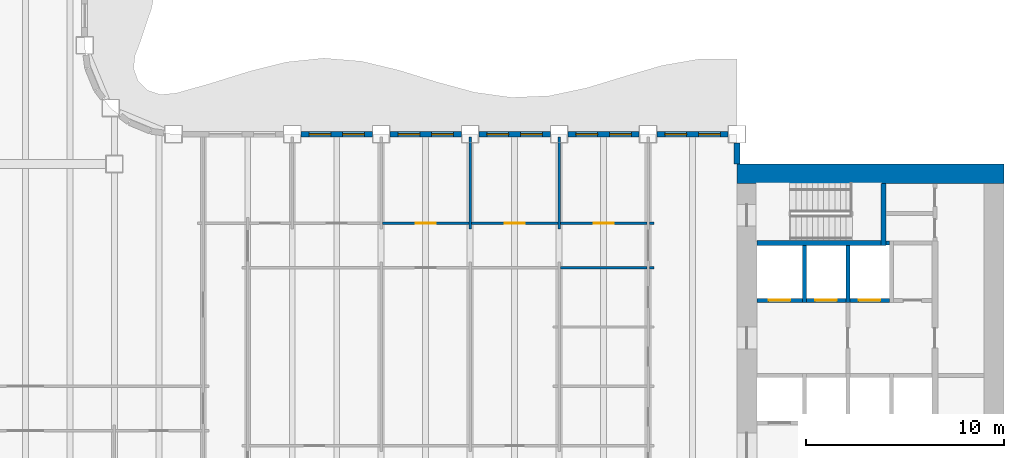
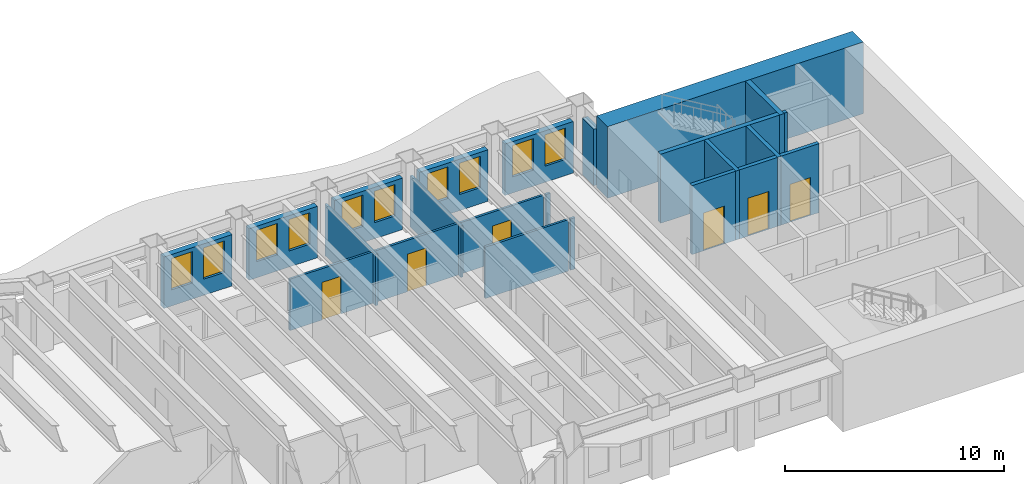
# One storey, part 7 of 16: 23 walls, 10 windows, 6 doors, 16 openings.
"""IFC4 building model written with IfcOpenShell, lengths in metres."""

from ifc_helpers import new_model, si_unit, direction, frame, frame_2d, origin, place, context, subcontext, project, spatial, rectangle, extrude, material, layer, layer_set, type_object, element, fill, save


model = new_model("IFC4")

# Units and contexts
model_context = context("Model", 3, precision=1e-05, world=origin(), true_north=direction((0.0, 1.0)))
body_context = subcontext(model_context, "Body", "Model", "MODEL_VIEW")
ifc_project = project(units=[si_unit("LENGTHUNIT", "METRE"), si_unit("AREAUNIT", "SQUARE_METRE"), si_unit("VOLUMEUNIT", "CUBIC_METRE"), si_unit("PLANEANGLEUNIT", "RADIAN"), si_unit("MASSUNIT", "GRAM", prefix="KILO")], contexts=[model_context])

# Site, building, storey
site_placement = place(None, origin())
site = spatial("IfcSite", under=ifc_project, at=site_placement, CompositionType="ELEMENT")
building_placement = place(site_placement, origin())
building = spatial("IfcBuilding", under=site, at=building_placement, Name="Sennacour Bend Tower", CompositionType="ELEMENT")
storey_placement = place(building_placement, frame((0.0, 0.0, 179.0)))
storey = spatial("IfcBuildingStorey", under=building, at=storey_placement, Name="L41", CompositionType="ELEMENT", Elevation=179.0)

# Walls
ifc_material_1 = material(Name="Concrete C60/75", Category="concrete")
ifc_layer_1 = layer(ifc_material_1, 1.0, Name="Concrete C60/75", Category="concrete")
ifc_layer_set_1 = layer_set([ifc_layer_1], Name="Concrete C60/75")
wall_type_1 = type_object("IfcWallType", Name="Core wall 1000 C60/75", PredefinedType="SHEAR", material=ifc_layer_set_1)
wall_1_placement = place(storey_placement, frame((54.0, 22.0, -0.14990234375), z_axis=(0.0, 0.0, 1.0), x_axis=(1.0, 0.0, 0.0)))
element("IfcWall", 1, at=wall_1_placement, inside=storey, type_object=wall_type_1, Name="Core A wall L41 N", PredefinedType="SHEAR", context=body_context, shape_type="SweptSolid", body=[
    extrude(rectangle(XDim=13.5, YDim=1.0, at=frame_2d((6.75, 0.0))), origin(), (0.0, 0.0, 1.0), 4.0),
])
ifc_material_2 = material(Name="Plasterboard partition on steel studs", Category="steel")
ifc_layer_2 = layer(ifc_material_2, 0.1201171875, Name="Plasterboard partition on steel studs", Category="steel")
ifc_layer_set_2 = layer_set([ifc_layer_2], Name="Plasterboard partition on steel studs")
wall_type_2 = type_object("IfcWallType", Name="Partition 120", PredefinedType="PARTITIONING", material=ifc_layer_set_2)
for number, where, z_axis, x_axis, name in (
    (2, (40.5, 19.199951171875, 0.0), (0.0, 0.0, 1.0), (0.0, 1.0, 0.0), "P-L41-W034a"),
    (3, (45.0, 19.199951171875, 0.0), (0.0, 0.0, 1.0), (0.0, 1.0, 0.0), "P-L41-W037a"),
):
    element("IfcWall", number, at=place(storey_placement, frame(where, z_axis=z_axis, x_axis=x_axis)), inside=storey, type_object=wall_type_2, Name=name, PredefinedType="PARTITIONING", context=body_context, shape_type="SweptSolid", body=[
        extrude(rectangle(XDim=4.650146484375, YDim=0.1201171875, at=frame_2d((2.3251953125, 0.0))), origin(), (0.0, 0.0, 1.0), 2.8701171875),
    ])
wall_2_placement = place(storey_placement, frame((45.06005859375, 17.25, 0.0), z_axis=(0.0, 0.0, 1.0), x_axis=(1.0, 0.0, 0.0)))
element("IfcWall", 4, at=wall_2_placement, inside=storey, type_object=wall_type_2, Name="P-L41-W075ae", PredefinedType="PARTITIONING", context=body_context, shape_type="SweptSolid", body=[
    extrude(rectangle(XDim=4.3798828125, YDim=0.1201171875, at=frame_2d((2.18994140625, 0.0))), origin(), (0.0, 0.0, 1.0), 2.8701171875),
])
wall_3_placement = place(storey_placement, frame((49.56005859375, 17.25, 0.0), z_axis=(0.0, 0.0, 1.0), x_axis=(1.0, 0.0, 0.0)))
element("IfcWall", 5, at=wall_3_placement, inside=storey, type_object=wall_type_2, Name="P-L41-W075af", PredefinedType="PARTITIONING", context=body_context, shape_type="SweptSolid", body=[
    extrude(rectangle(XDim=0.239990234375, YDim=0.1201171875, at=frame_2d((0.1201171875, 0.0))), origin(), (0.0, 0.0, 1.0), 2.8701171875),
])

# Wall, opening, door
wall_4_placement = place(storey_placement, frame((36.06005859375, 19.5, 0.0), z_axis=(0.0, 0.0, 1.0), x_axis=(1.0, 0.0, 0.0)))
wall_4 = element("IfcWall", 6, at=wall_4_placement, inside=storey, type_object=wall_type_2, Name="P-L41-W079ae", PredefinedType="PARTITIONING", context=body_context, shape_type="SweptSolid", body=[
    extrude(rectangle(XDim=4.3798828125, YDim=0.1201171875, at=frame_2d((2.18994140625, 0.0))), origin(), (0.0, 0.0, 1.0), 2.8701171875),
])
opening_1_placement = place(wall_4_placement, frame((1.68994140625, 0.0, 0.0)))
opening_1 = element("IfcOpeningElement", 7, at=opening_1_placement, cuts=wall_4, Name="Opening OD2", PredefinedType="OPENING", context=body_context, shape_type="SweptSolid", body=[
    extrude(rectangle(XDim=1.0, YDim=2.10009765625, at=frame_2d((0.5, 1.050048828125))), frame((0.0, 0.070068359375, 0.0), z_axis=(0.0, -1.0, 0.0), x_axis=(1.0, 0.0, 0.0)), (0.0, 0.0, 1.0), 0.14013671875),
])
ifc_material_3 = material(Name="Timber", Category="wood")
door_type_1 = type_object("IfcDoorType", Name="DR-OFFICE-1000", OperationType="NOTDEFINED", PredefinedType="DOOR", material=ifc_material_3)
door_1_placement = place(opening_1_placement, origin())
door_1 = element("IfcDoor", 8, at=door_1_placement, inside=storey, type_object=door_type_1, Name="Door", OperationType="SINGLE_SWING_LEFT", OverallHeight=2.10009765625, OverallWidth=1.0, PredefinedType="DOOR", context=body_context, shape_type="SweptSolid", body=[
    extrude(rectangle(XDim=1.0, YDim=2.10009765625, at=frame_2d((0.5, 1.050048828125))), frame((0.0, 0.02490234375, 0.0), z_axis=(0.0, -1.0, 0.0), x_axis=(1.0, 0.0, 0.0)), (0.0, 0.0, 1.0), 0.050048828125),
])
fill(opening_1, door_1)

wall_5_placement = place(storey_placement, frame((40.56005859375, 19.5, 0.0), z_axis=(0.0, 0.0, 1.0), x_axis=(1.0, 0.0, 0.0)))
wall_5 = element("IfcWall", 9, at=wall_5_placement, inside=storey, type_object=wall_type_2, Name="P-L41-W079af", PredefinedType="PARTITIONING", context=body_context, shape_type="SweptSolid", body=[
    extrude(rectangle(XDim=4.3798828125, YDim=0.1201171875, at=frame_2d((2.18994140625, 0.0))), origin(), (0.0, 0.0, 1.0), 2.8701171875),
])
opening_2_placement = place(wall_5_placement, frame((1.68994140625, 0.0, 0.0)))
opening_2 = element("IfcOpeningElement", 10, at=opening_2_placement, cuts=wall_5, Name="Opening MD2", PredefinedType="OPENING", context=body_context, shape_type="SweptSolid", body=[
    extrude(rectangle(XDim=1.0, YDim=2.10009765625, at=frame_2d((0.5, 1.050048828125))), frame((0.0, 0.070068359375, 0.0), z_axis=(0.0, -1.0, 0.0), x_axis=(1.0, 0.0, 0.0)), (0.0, 0.0, 1.0), 0.14013671875),
])
door_type_2 = type_object("IfcDoorType", Name="DR-MEETING-1000", OperationType="NOTDEFINED", PredefinedType="DOOR", material=ifc_material_3)
door_2_placement = place(opening_2_placement, origin())
door_2 = element("IfcDoor", 11, at=door_2_placement, inside=storey, type_object=door_type_2, Name="Door", OperationType="SINGLE_SWING_LEFT", OverallHeight=2.10009765625, OverallWidth=1.0, PredefinedType="DOOR", context=body_context, shape_type="SweptSolid", body=[
    extrude(rectangle(XDim=1.0, YDim=2.10009765625, at=frame_2d((0.5, 1.050048828125))), frame((0.0, 0.02490234375, 0.0), z_axis=(0.0, -1.0, 0.0), x_axis=(1.0, 0.0, 0.0)), (0.0, 0.0, 1.0), 0.050048828125),
])
fill(opening_2, door_2)

wall_6_placement = place(storey_placement, frame((45.06005859375, 19.5, 0.0), z_axis=(0.0, 0.0, 1.0), x_axis=(1.0, 0.0, 0.0)))
wall_6 = element("IfcWall", 12, at=wall_6_placement, inside=storey, type_object=wall_type_2, Name="P-L41-W079ag", PredefinedType="PARTITIONING", context=body_context, shape_type="SweptSolid", body=[
    extrude(rectangle(XDim=4.3798828125, YDim=0.1201171875, at=frame_2d((2.18994140625, 0.0))), origin(), (0.0, 0.0, 1.0), 2.8701171875),
])
opening_3_placement = place(wall_6_placement, frame((1.68994140625, 0.0, 0.0)))
opening_3 = element("IfcOpeningElement", 13, at=opening_3_placement, cuts=wall_6, Name="Opening OD2", PredefinedType="OPENING", context=body_context, shape_type="SweptSolid", body=[
    extrude(rectangle(XDim=1.0, YDim=2.10009765625, at=frame_2d((0.5, 1.050048828125))), frame((0.0, 0.070068359375, 0.0), z_axis=(0.0, -1.0, 0.0), x_axis=(1.0, 0.0, 0.0)), (0.0, 0.0, 1.0), 0.14013671875),
])
door_3_placement = place(opening_3_placement, origin())
door_3 = element("IfcDoor", 14, at=door_3_placement, inside=storey, type_object=door_type_1, Name="Door", OperationType="SINGLE_SWING_LEFT", OverallHeight=2.10009765625, OverallWidth=1.0, PredefinedType="DOOR", context=body_context, shape_type="SweptSolid", body=[
    extrude(rectangle(XDim=1.0, YDim=2.10009765625, at=frame_2d((0.5, 1.050048828125))), frame((0.0, 0.02490234375, 0.0), z_axis=(0.0, -1.0, 0.0), x_axis=(1.0, 0.0, 0.0)), (0.0, 0.0, 1.0), 0.050048828125),
])
fill(opening_3, door_3)

# Walls
wall_7_placement = place(storey_placement, frame((49.56005859375, 19.5, 0.0), z_axis=(0.0, 0.0, 1.0), x_axis=(1.0, 0.0, 0.0)))
element("IfcWall", 15, at=wall_7_placement, inside=storey, type_object=wall_type_2, Name="P-L41-W079ah", PredefinedType="PARTITIONING", context=body_context, shape_type="SweptSolid", body=[
    extrude(rectangle(XDim=0.239990234375, YDim=0.1201171875, at=frame_2d((0.1201171875, 0.0))), origin(), (0.0, 0.0, 1.0), 2.8701171875),
])
ifc_material_4 = material(Name="Warm limestone cladding", Category="masonry")
ifc_layer_3 = layer(ifc_material_4, 0.050048828125, Name="Warm limestone cladding", Category="masonry")
ifc_material_5 = material(Name="Precast concrete C40/50", Category="concrete")
ifc_layer_4 = layer(ifc_material_5, 0.25, Name="Precast concrete C40/50", Category="concrete")
ifc_layer_set_3 = layer_set([ifc_layer_3, ifc_layer_4], Name="Precast concrete C40/50 with limestone cladding")
wall_type_3 = type_object("IfcWallType", Name="STONE-CLAD PRECAST SPANDREL 300", PredefinedType="STANDARD", material=ifc_layer_set_3)
wall_8_placement = place(storey_placement, frame((54.0, 22.5, 0.0), z_axis=(0.0, 0.0, 1.0), x_axis=(0.0, 1.0, 0.0)))
element("IfcWall", 16, at=wall_8_placement, inside=storey, type_object=wall_type_3, Name="Stone spandrel and pier wall L41 07.00", PredefinedType="STANDARD", context=body_context, shape_type="SweptSolid", body=[
    extrude(rectangle(XDim=1.050048828125, YDim=0.300048828125, at=frame_2d((0.52490234375, 0.0))), origin(), (0.0, 0.0, 1.0), 3.14892578125),
])

# Wall, openings, windows
wall_9_placement = place(storey_placement, frame((53.550048828125, 24.0, 0.0), z_axis=(0.0, 0.0, 1.0), x_axis=(-1.0, 0.0, 0.0)))
wall_9 = element("IfcWall", 17, at=wall_9_placement, inside=storey, type_object=wall_type_3, Name="Stone spandrel and pier wall L41 08.00", PredefinedType="STANDARD", context=body_context, shape_type="SweptSolid", body=[
    extrude(rectangle(XDim=3.60009765625, YDim=0.300048828125, at=frame_2d((1.800048828125, 0.0))), origin(), (0.0, 0.0, 1.0), 2.8701171875),
])
opening_4_placement = place(wall_9_placement, frame((0.39990234375, 0.0, 0.89990234375)))
opening_4 = element("IfcOpeningElement", 18, at=opening_4_placement, cuts=wall_9, Name="Opening W17", PredefinedType="OPENING", context=body_context, shape_type="SweptSolid", body=[
    extrude(rectangle(XDim=1.10009765625, YDim=1.75, at=frame_2d((0.550048828125, 0.875))), frame((0.0, 0.16015625, 0.0), z_axis=(0.0, -1.0, 0.0), x_axis=(1.0, 0.0, 0.0)), (0.0, 0.0, 1.0), 0.320068359375),
])
opening_5_placement = place(wall_9_placement, frame((2.10009765625, 0.0, 0.89990234375)))
opening_5 = element("IfcOpeningElement", 19, at=opening_5_placement, cuts=wall_9, Name="Opening W17", PredefinedType="OPENING", context=body_context, shape_type="SweptSolid", body=[
    extrude(rectangle(XDim=1.10009765625, YDim=1.75, at=frame_2d((0.550048828125, 0.875))), frame((0.0, 0.16015625, 0.0), z_axis=(0.0, -1.0, 0.0), x_axis=(1.0, 0.0, 0.0)), (0.0, 0.0, 1.0), 0.320068359375),
])
ifc_material_6 = material(Name="Clear low-emissivity glass", Category="glass")
window_type = type_object("IfcWindowType", Name="WIN-RIBBON-1100x1750", PartitioningType="SINGLE_PANEL", PredefinedType="WINDOW", material=ifc_material_6)
window_1_placement = place(opening_4_placement, origin())
window_1 = element("IfcWindow", 20, at=window_1_placement, inside=storey, type_object=window_type, Name="Ribbon window L41 08.00.0", OverallHeight=1.75, OverallWidth=1.10009765625, PartitioningType="SINGLE_PANEL", PredefinedType="WINDOW", context=body_context, shape_type="SweptSolid", body=[
    extrude(rectangle(XDim=1.10009765625, YDim=1.75, at=frame_2d((0.550048828125, 0.875))), frame((0.0, 0.030029296875, 0.0), z_axis=(0.0, -1.0, 0.0), x_axis=(1.0, 0.0, 0.0)), (0.0, 0.0, 1.0), 0.06005859375),
])
fill(opening_4, window_1)
window_2_placement = place(opening_5_placement, origin())
window_2 = element("IfcWindow", 21, at=window_2_placement, inside=storey, type_object=window_type, Name="Ribbon window L41 08.00.1", OverallHeight=1.75, OverallWidth=1.10009765625, PartitioningType="SINGLE_PANEL", PredefinedType="WINDOW", context=body_context, shape_type="SweptSolid", body=[
    extrude(rectangle(XDim=1.10009765625, YDim=1.75, at=frame_2d((0.550048828125, 0.875))), frame((0.0, 0.030029296875, 0.0), z_axis=(0.0, -1.0, 0.0), x_axis=(1.0, 0.0, 0.0)), (0.0, 0.0, 1.0), 0.06005859375),
])
fill(opening_5, window_2)

wall_10_placement = place(storey_placement, frame((49.050048828125, 24.0, 0.0), z_axis=(0.0, 0.0, 1.0), x_axis=(-1.0, 0.0, 0.0)))
wall_10 = element("IfcWall", 22, at=wall_10_placement, inside=storey, type_object=wall_type_3, Name="Stone spandrel and pier wall L41 08.01", PredefinedType="STANDARD", context=body_context, shape_type="SweptSolid", body=[
    extrude(rectangle(XDim=3.60009765625, YDim=0.300048828125, at=frame_2d((1.800048828125, 0.0))), origin(), (0.0, 0.0, 1.0), 2.8701171875),
])
opening_6_placement = place(wall_10_placement, frame((0.39990234375, 0.0, 0.89990234375)))
opening_6 = element("IfcOpeningElement", 23, at=opening_6_placement, cuts=wall_10, Name="Opening W17", PredefinedType="OPENING", context=body_context, shape_type="SweptSolid", body=[
    extrude(rectangle(XDim=1.10009765625, YDim=1.75, at=frame_2d((0.550048828125, 0.875))), frame((0.0, 0.16015625, 0.0), z_axis=(0.0, -1.0, 0.0), x_axis=(1.0, 0.0, 0.0)), (0.0, 0.0, 1.0), 0.320068359375),
])
opening_7_placement = place(wall_10_placement, frame((2.10009765625, 0.0, 0.89990234375)))
opening_7 = element("IfcOpeningElement", 24, at=opening_7_placement, cuts=wall_10, Name="Opening W17", PredefinedType="OPENING", context=body_context, shape_type="SweptSolid", body=[
    extrude(rectangle(XDim=1.10009765625, YDim=1.75, at=frame_2d((0.550048828125, 0.875))), frame((0.0, 0.16015625, 0.0), z_axis=(0.0, -1.0, 0.0), x_axis=(1.0, 0.0, 0.0)), (0.0, 0.0, 1.0), 0.320068359375),
])
window_3_placement = place(opening_6_placement, origin())
window_3 = element("IfcWindow", 25, at=window_3_placement, inside=storey, type_object=window_type, Name="Ribbon window L41 08.01.0", OverallHeight=1.75, OverallWidth=1.10009765625, PartitioningType="SINGLE_PANEL", PredefinedType="WINDOW", context=body_context, shape_type="SweptSolid", body=[
    extrude(rectangle(XDim=1.10009765625, YDim=1.75, at=frame_2d((0.550048828125, 0.875))), frame((0.0, 0.030029296875, 0.0), z_axis=(0.0, -1.0, 0.0), x_axis=(1.0, 0.0, 0.0)), (0.0, 0.0, 1.0), 0.06005859375),
])
fill(opening_6, window_3)
window_4_placement = place(opening_7_placement, origin())
window_4 = element("IfcWindow", 26, at=window_4_placement, inside=storey, type_object=window_type, Name="Ribbon window L41 08.01.1", OverallHeight=1.75, OverallWidth=1.10009765625, PartitioningType="SINGLE_PANEL", PredefinedType="WINDOW", context=body_context, shape_type="SweptSolid", body=[
    extrude(rectangle(XDim=1.10009765625, YDim=1.75, at=frame_2d((0.550048828125, 0.875))), frame((0.0, 0.030029296875, 0.0), z_axis=(0.0, -1.0, 0.0), x_axis=(1.0, 0.0, 0.0)), (0.0, 0.0, 1.0), 0.06005859375),
])
fill(opening_7, window_4)

wall_11_placement = place(storey_placement, frame((44.550048828125, 24.0, 0.0), z_axis=(0.0, 0.0, 1.0), x_axis=(-1.0, 0.0, 0.0)))
wall_11 = element("IfcWall", 27, at=wall_11_placement, inside=storey, type_object=wall_type_3, Name="Stone spandrel and pier wall L41 08.02", PredefinedType="STANDARD", context=body_context, shape_type="SweptSolid", body=[
    extrude(rectangle(XDim=3.60009765625, YDim=0.300048828125, at=frame_2d((1.800048828125, 0.0))), origin(), (0.0, 0.0, 1.0), 2.8701171875),
])
opening_8_placement = place(wall_11_placement, frame((0.39990234375, 0.0, 0.89990234375)))
opening_8 = element("IfcOpeningElement", 28, at=opening_8_placement, cuts=wall_11, Name="Opening W17", PredefinedType="OPENING", context=body_context, shape_type="SweptSolid", body=[
    extrude(rectangle(XDim=1.10009765625, YDim=1.75, at=frame_2d((0.550048828125, 0.875))), frame((0.0, 0.16015625, 0.0), z_axis=(0.0, -1.0, 0.0), x_axis=(1.0, 0.0, 0.0)), (0.0, 0.0, 1.0), 0.320068359375),
])
opening_9_placement = place(wall_11_placement, frame((2.10009765625, 0.0, 0.89990234375)))
opening_9 = element("IfcOpeningElement", 29, at=opening_9_placement, cuts=wall_11, Name="Opening W17", PredefinedType="OPENING", context=body_context, shape_type="SweptSolid", body=[
    extrude(rectangle(XDim=1.10009765625, YDim=1.75, at=frame_2d((0.550048828125, 0.875))), frame((0.0, 0.16015625, 0.0), z_axis=(0.0, -1.0, 0.0), x_axis=(1.0, 0.0, 0.0)), (0.0, 0.0, 1.0), 0.320068359375),
])
window_5_placement = place(opening_8_placement, origin())
window_5 = element("IfcWindow", 30, at=window_5_placement, inside=storey, type_object=window_type, Name="Ribbon window L41 08.02.0", OverallHeight=1.75, OverallWidth=1.10009765625, PartitioningType="SINGLE_PANEL", PredefinedType="WINDOW", context=body_context, shape_type="SweptSolid", body=[
    extrude(rectangle(XDim=1.10009765625, YDim=1.75, at=frame_2d((0.550048828125, 0.875))), frame((0.0, 0.030029296875, 0.0), z_axis=(0.0, -1.0, 0.0), x_axis=(1.0, 0.0, 0.0)), (0.0, 0.0, 1.0), 0.06005859375),
])
fill(opening_8, window_5)
window_6_placement = place(opening_9_placement, origin())
window_6 = element("IfcWindow", 31, at=window_6_placement, inside=storey, type_object=window_type, Name="Ribbon window L41 08.02.1", OverallHeight=1.75, OverallWidth=1.10009765625, PartitioningType="SINGLE_PANEL", PredefinedType="WINDOW", context=body_context, shape_type="SweptSolid", body=[
    extrude(rectangle(XDim=1.10009765625, YDim=1.75, at=frame_2d((0.550048828125, 0.875))), frame((0.0, 0.030029296875, 0.0), z_axis=(0.0, -1.0, 0.0), x_axis=(1.0, 0.0, 0.0)), (0.0, 0.0, 1.0), 0.06005859375),
])
fill(opening_9, window_6)

wall_12_placement = place(storey_placement, frame((40.050048828125, 24.0, 0.0), z_axis=(0.0, 0.0, 1.0), x_axis=(-1.0, 0.0, 0.0)))
wall_12 = element("IfcWall", 32, at=wall_12_placement, inside=storey, type_object=wall_type_3, Name="Stone spandrel and pier wall L41 08.03", PredefinedType="STANDARD", context=body_context, shape_type="SweptSolid", body=[
    extrude(rectangle(XDim=3.60009765625, YDim=0.300048828125, at=frame_2d((1.800048828125, 0.0))), origin(), (0.0, 0.0, 1.0), 2.8701171875),
])
opening_10_placement = place(wall_12_placement, frame((0.39990234375, 0.0, 0.89990234375)))
opening_10 = element("IfcOpeningElement", 33, at=opening_10_placement, cuts=wall_12, Name="Opening W17", PredefinedType="OPENING", context=body_context, shape_type="SweptSolid", body=[
    extrude(rectangle(XDim=1.10009765625, YDim=1.75, at=frame_2d((0.550048828125, 0.875))), frame((0.0, 0.16015625, 0.0), z_axis=(0.0, -1.0, 0.0), x_axis=(1.0, 0.0, 0.0)), (0.0, 0.0, 1.0), 0.320068359375),
])
opening_11_placement = place(wall_12_placement, frame((2.10009765625, 0.0, 0.89990234375)))
opening_11 = element("IfcOpeningElement", 34, at=opening_11_placement, cuts=wall_12, Name="Opening W17", PredefinedType="OPENING", context=body_context, shape_type="SweptSolid", body=[
    extrude(rectangle(XDim=1.10009765625, YDim=1.75, at=frame_2d((0.550048828125, 0.875))), frame((0.0, 0.16015625, 0.0), z_axis=(0.0, -1.0, 0.0), x_axis=(1.0, 0.0, 0.0)), (0.0, 0.0, 1.0), 0.320068359375),
])
window_7_placement = place(opening_10_placement, origin())
window_7 = element("IfcWindow", 35, at=window_7_placement, inside=storey, type_object=window_type, Name="Ribbon window L41 08.03.0", OverallHeight=1.75, OverallWidth=1.10009765625, PartitioningType="SINGLE_PANEL", PredefinedType="WINDOW", context=body_context, shape_type="SweptSolid", body=[
    extrude(rectangle(XDim=1.10009765625, YDim=1.75, at=frame_2d((0.550048828125, 0.875))), frame((0.0, 0.030029296875, 0.0), z_axis=(0.0, -1.0, 0.0), x_axis=(1.0, 0.0, 0.0)), (0.0, 0.0, 1.0), 0.06005859375),
])
fill(opening_10, window_7)
window_8_placement = place(opening_11_placement, origin())
window_8 = element("IfcWindow", 36, at=window_8_placement, inside=storey, type_object=window_type, Name="Ribbon window L41 08.03.1", OverallHeight=1.75, OverallWidth=1.10009765625, PartitioningType="SINGLE_PANEL", PredefinedType="WINDOW", context=body_context, shape_type="SweptSolid", body=[
    extrude(rectangle(XDim=1.10009765625, YDim=1.75, at=frame_2d((0.550048828125, 0.875))), frame((0.0, 0.030029296875, 0.0), z_axis=(0.0, -1.0, 0.0), x_axis=(1.0, 0.0, 0.0)), (0.0, 0.0, 1.0), 0.06005859375),
])
fill(opening_11, window_8)

wall_13_placement = place(storey_placement, frame((35.550048828125, 24.0, 0.0), z_axis=(0.0, 0.0, 1.0), x_axis=(-1.0, 0.0, 0.0)))
wall_13 = element("IfcWall", 37, at=wall_13_placement, inside=storey, type_object=wall_type_3, Name="Stone spandrel and pier wall L41 08.04", PredefinedType="STANDARD", context=body_context, shape_type="SweptSolid", body=[
    extrude(rectangle(XDim=3.60009765625, YDim=0.300048828125, at=frame_2d((1.800048828125, 0.0))), origin(), (0.0, 0.0, 1.0), 2.8701171875),
])
opening_12_placement = place(wall_13_placement, frame((0.39990234375, 0.0, 0.89990234375)))
opening_12 = element("IfcOpeningElement", 38, at=opening_12_placement, cuts=wall_13, Name="Opening W17", PredefinedType="OPENING", context=body_context, shape_type="SweptSolid", body=[
    extrude(rectangle(XDim=1.10009765625, YDim=1.75, at=frame_2d((0.550048828125, 0.875))), frame((0.0, 0.16015625, 0.0), z_axis=(0.0, -1.0, 0.0), x_axis=(1.0, 0.0, 0.0)), (0.0, 0.0, 1.0), 0.320068359375),
])
opening_13_placement = place(wall_13_placement, frame((2.10009765625, 0.0, 0.89990234375)))
opening_13 = element("IfcOpeningElement", 39, at=opening_13_placement, cuts=wall_13, Name="Opening W17", PredefinedType="OPENING", context=body_context, shape_type="SweptSolid", body=[
    extrude(rectangle(XDim=1.10009765625, YDim=1.75, at=frame_2d((0.550048828125, 0.875))), frame((0.0, 0.16015625, 0.0), z_axis=(0.0, -1.0, 0.0), x_axis=(1.0, 0.0, 0.0)), (0.0, 0.0, 1.0), 0.320068359375),
])
window_9_placement = place(opening_12_placement, origin())
window_9 = element("IfcWindow", 40, at=window_9_placement, inside=storey, type_object=window_type, Name="Ribbon window L41 08.04.0", OverallHeight=1.75, OverallWidth=1.10009765625, PartitioningType="SINGLE_PANEL", PredefinedType="WINDOW", context=body_context, shape_type="SweptSolid", body=[
    extrude(rectangle(XDim=1.10009765625, YDim=1.75, at=frame_2d((0.550048828125, 0.875))), frame((0.0, 0.030029296875, 0.0), z_axis=(0.0, -1.0, 0.0), x_axis=(1.0, 0.0, 0.0)), (0.0, 0.0, 1.0), 0.06005859375),
])
fill(opening_12, window_9)
window_10_placement = place(opening_13_placement, origin())
window_10 = element("IfcWindow", 41, at=window_10_placement, inside=storey, type_object=window_type, Name="Ribbon window L41 08.04.1", OverallHeight=1.75, OverallWidth=1.10009765625, PartitioningType="SINGLE_PANEL", PredefinedType="WINDOW", context=body_context, shape_type="SweptSolid", body=[
    extrude(rectangle(XDim=1.10009765625, YDim=1.75, at=frame_2d((0.550048828125, 0.875))), frame((0.0, 0.030029296875, 0.0), z_axis=(0.0, -1.0, 0.0), x_axis=(1.0, 0.0, 0.0)), (0.0, 0.0, 1.0), 0.06005859375),
])
fill(opening_13, window_10)

# Walls
ifc_material_7 = material(Name="Concrete C50/60", Category="concrete")
ifc_layer_5 = layer(ifc_material_7, 0.199951171875, Name="Concrete C50/60", Category="concrete")
ifc_layer_set_4 = layer_set([ifc_layer_5], Name="Concrete C50/60")
wall_type_4 = type_object("IfcWallType", Name="Shaft wall 200", PredefinedType="SOLIDWALL", material=ifc_layer_set_4)
for number, where, z_axis, x_axis, name in (
    (42, (57.39990234375, 15.5, 0.0), (0.0, 0.0, 1.0), (0.0, 1.0, 0.0), "P-L41-W041"),
    (43, (59.60009765625, 15.5, 0.0), (0.0, 0.0, 1.0), (0.0, 1.0, 0.0), "P-L41-W044"),
):
    element("IfcWall", number, at=place(storey_placement, frame(where, z_axis=z_axis, x_axis=x_axis)), inside=storey, type_object=wall_type_4, Name=name, PredefinedType="SOLIDWALL", context=body_context, shape_type="SweptSolid", body=[
        extrude(rectangle(XDim=2.875, YDim=0.199951171875, at=frame_2d((1.4375, 0.0))), origin(), (0.0, 0.0, 1.0), 3.85009765625),
    ])

# Wall, opening, door
wall_14_placement = place(storey_placement, frame((55.0, 15.60009765625, 0.0), z_axis=(0.0, 0.0, 1.0), x_axis=(1.0, 0.0, 0.0)))
wall_14 = element("IfcWall", 44, at=wall_14_placement, inside=storey, type_object=wall_type_4, Name="P-L41-W072a", PredefinedType="SOLIDWALL", context=body_context, shape_type="SweptSolid", body=[
    extrude(rectangle(XDim=2.300048828125, YDim=0.199951171875, at=frame_2d((1.14990234375, 0.0))), origin(), (0.0, 0.0, 1.0), 3.85009765625),
])
opening_14_placement = place(wall_14_placement, frame((0.60009765625, 0.0, 0.011962890625)))
opening_14 = element("IfcOpeningElement", 45, at=opening_14_placement, cuts=wall_14, Name="Opening FLD", PredefinedType="OPENING", context=body_context, shape_type="SweptSolid", body=[
    extrude(rectangle(XDim=1.10009765625, YDim=2.10009765625, at=frame_2d((0.550048828125, 1.050048828125))), frame((0.0, 0.10986328125, 0.0), z_axis=(0.0, -1.0, 0.0), x_axis=(1.0, 0.0, 0.0)), (0.0, 0.0, 1.0), 0.219970703125),
])
ifc_material_8 = material(Name="Stainless steel", Category="steel")
door_type_3 = type_object("IfcDoorType", Name="DR-FF-LANDING-1100", OperationType="NOTDEFINED", PredefinedType="DOOR", material=ifc_material_8)
door_4_placement = place(opening_14_placement, origin())
door_4 = element("IfcDoor", 46, at=door_4_placement, inside=storey, type_object=door_type_3, Name="Fire service lift landing door FA1", OperationType="SLIDING_TO_LEFT", OverallHeight=2.10009765625, OverallWidth=1.10009765625, PredefinedType="DOOR", context=body_context, shape_type="SweptSolid", body=[
    extrude(rectangle(XDim=1.10009765625, YDim=2.10009765625, at=frame_2d((0.550048828125, 1.050048828125))), frame((0.0, 0.02490234375, 0.0), z_axis=(0.0, -1.0, 0.0), x_axis=(1.0, 0.0, 0.0)), (0.0, 0.0, 1.0), 0.050048828125),
])
fill(opening_14, door_4)

wall_15_placement = place(storey_placement, frame((57.5, 15.60009765625, 0.0), z_axis=(0.0, 0.0, 1.0), x_axis=(1.0, 0.0, 0.0)))
wall_15 = element("IfcWall", 47, at=wall_15_placement, inside=storey, type_object=wall_type_4, Name="P-L41-W072b", PredefinedType="SOLIDWALL", context=body_context, shape_type="SweptSolid", body=[
    extrude(rectangle(XDim=2.0, YDim=0.199951171875, at=frame_2d((1.0, 0.0))), origin(), (0.0, 0.0, 1.0), 3.85009765625),
])
opening_15_placement = place(wall_15_placement, frame((0.449951171875, 0.0, 0.011962890625)))
opening_15 = element("IfcOpeningElement", 48, at=opening_15_placement, cuts=wall_15, Name="Opening FLD", PredefinedType="OPENING", context=body_context, shape_type="SweptSolid", body=[
    extrude(rectangle(XDim=1.10009765625, YDim=2.10009765625, at=frame_2d((0.550048828125, 1.050048828125))), frame((0.0, 0.10986328125, 0.0), z_axis=(0.0, -1.0, 0.0), x_axis=(1.0, 0.0, 0.0)), (0.0, 0.0, 1.0), 0.219970703125),
])
door_5_placement = place(opening_15_placement, origin())
door_5 = element("IfcDoor", 49, at=door_5_placement, inside=storey, type_object=door_type_3, Name="Fire service lift landing door FA2", OperationType="SLIDING_TO_RIGHT", OverallHeight=2.10009765625, OverallWidth=1.10009765625, PredefinedType="DOOR", context=body_context, shape_type="SweptSolid", body=[
    extrude(rectangle(XDim=1.10009765625, YDim=2.10009765625, at=frame_2d((0.550048828125, 1.050048828125))), frame((0.0, 0.02490234375, 0.0), z_axis=(0.0, -1.0, 0.0), x_axis=(1.0, 0.0, 0.0)), (0.0, 0.0, 1.0), 0.050048828125),
])
fill(opening_15, door_5)

wall_16_placement = place(storey_placement, frame((59.699951171875, 15.60009765625, 0.0), z_axis=(0.0, 0.0, 1.0), x_axis=(1.0, 0.0, 0.0)))
wall_16 = element("IfcWall", 50, at=wall_16_placement, inside=storey, type_object=wall_type_4, Name="P-L41-W072c", PredefinedType="SOLIDWALL", context=body_context, shape_type="SweptSolid", body=[
    extrude(rectangle(XDim=2.0, YDim=0.199951171875, at=frame_2d((1.0, 0.0))), origin(), (0.0, 0.0, 1.0), 3.85009765625),
])
opening_16_placement = place(wall_16_placement, frame((0.449951171875, 0.0, 0.011962890625)))
opening_16 = element("IfcOpeningElement", 51, at=opening_16_placement, cuts=wall_16, Name="Opening LD", PredefinedType="OPENING", context=body_context, shape_type="SweptSolid", body=[
    extrude(rectangle(XDim=1.10009765625, YDim=2.10009765625, at=frame_2d((0.550048828125, 1.050048828125))), frame((0.0, 0.10986328125, 0.0), z_axis=(0.0, -1.0, 0.0), x_axis=(1.0, 0.0, 0.0)), (0.0, 0.0, 1.0), 0.219970703125),
])
door_type_4 = type_object("IfcDoorType", Name="DR-LANDING-1100", OperationType="NOTDEFINED", PredefinedType="DOOR", material=ifc_material_8)
door_6_placement = place(opening_16_placement, origin())
door_6 = element("IfcDoor", 52, at=door_6_placement, inside=storey, type_object=door_type_4, Name="Lift landing door HA5", OperationType="SLIDING_TO_LEFT", OverallHeight=2.10009765625, OverallWidth=1.10009765625, PredefinedType="DOOR", context=body_context, shape_type="SweptSolid", body=[
    extrude(rectangle(XDim=1.10009765625, YDim=2.10009765625, at=frame_2d((0.550048828125, 1.050048828125))), frame((0.0, 0.02490234375, 0.0), z_axis=(0.0, -1.0, 0.0), x_axis=(1.0, 0.0, 0.0)), (0.0, 0.0, 1.0), 0.050048828125),
])
fill(opening_16, door_6)

# Walls
wall_17_placement = place(storey_placement, frame((61.52490234375, 18.5, 0.0), z_axis=(0.0, 0.0, 1.0), x_axis=(1.0, 0.0, 0.0)))
element("IfcWall", 53, at=wall_17_placement, inside=storey, type_object=wall_type_4, Name="P-L41-W077", PredefinedType="SOLIDWALL", context=body_context, shape_type="SweptSolid", body=[
    extrude(rectangle(XDim=0.175048828125, YDim=0.199951171875, at=frame_2d((0.08740234375, 0.0))), origin(), (0.0, 0.0, 1.0), 3.85009765625),
])
ifc_layer_6 = layer(ifc_material_1, 0.25, Name="Concrete C60/75", Category="concrete")
ifc_layer_set_5 = layer_set([ifc_layer_6], Name="Concrete C60/75")
wall_type_5 = type_object("IfcWallType", Name="Stair wall 250", PredefinedType="SHEAR", material=ifc_layer_set_5)
wall_18_placement = place(storey_placement, frame((61.39990234375, 18.375, 0.0), z_axis=(0.0, 0.0, 1.0), x_axis=(0.0, 1.0, 0.0)))
element("IfcWall", 54, at=wall_18_placement, inside=storey, type_object=wall_type_5, Name="P-L41-W046", PredefinedType="SHEAR", context=body_context, shape_type="SweptSolid", body=[
    extrude(rectangle(XDim=3.125, YDim=0.25, at=frame_2d((1.5625, 0.0))), origin(), (0.0, 0.0, 1.0), 3.85009765625),
])
wall_19_placement = place(storey_placement, frame((55.0, 18.5, 0.0), z_axis=(0.0, 0.0, 1.0), x_axis=(1.0, 0.0, 0.0)))
element("IfcWall", 55, at=wall_19_placement, inside=storey, type_object=wall_type_5, Name="P-L41-W076", PredefinedType="SHEAR", context=body_context, shape_type="SweptSolid", body=[
    extrude(rectangle(XDim=6.27490234375, YDim=0.25, at=frame_2d((3.137451171875, 0.0))), origin(), (0.0, 0.0, 1.0), 3.85009765625),
])

save(model, "model.ifc")
